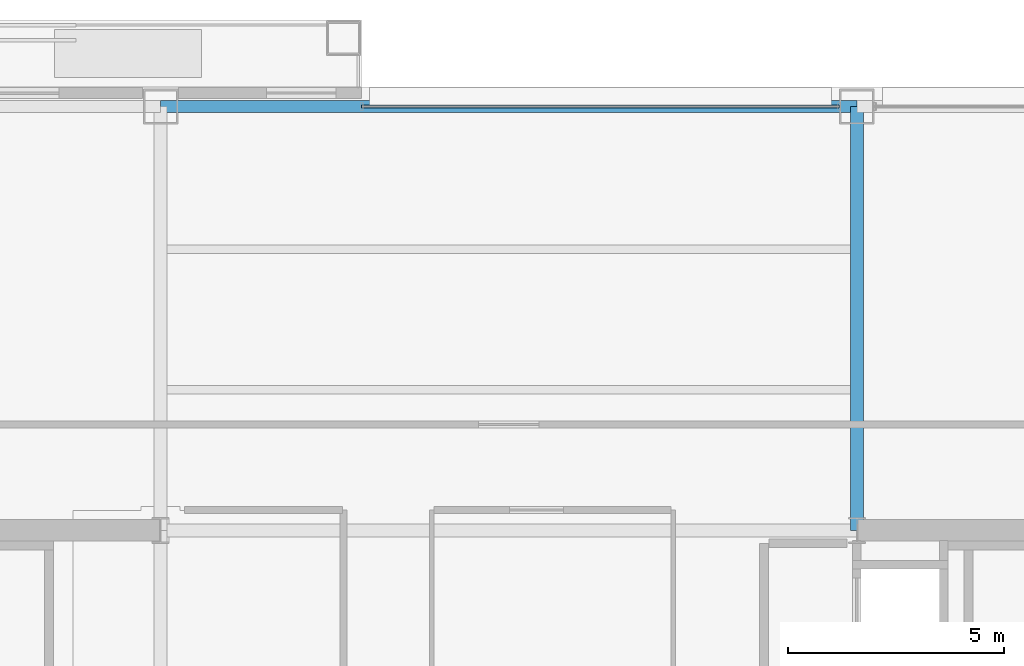
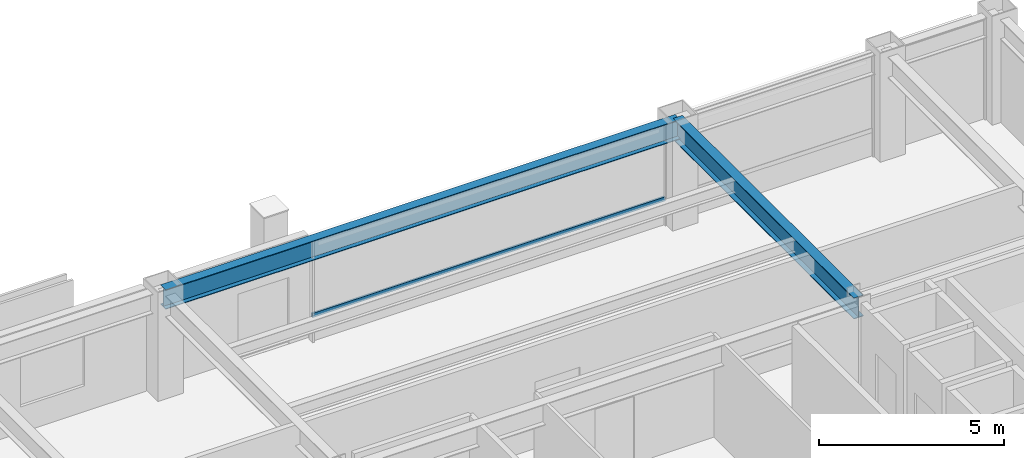
# One storey, part 20 of 29: 2 beams, 1 member, 1 element without a shape of its own.
"""IFC4 building model written with IfcOpenShell, lengths in metres."""

from ifc_helpers import new_model, si_unit, direction, frame, origin, origin_2d, place, context, subcontext, project, spatial, hollow_rectangle, i_section, extrude, material, layer, layer_set, material_profile, profile_set, type_object, element, aggregate, save


model = new_model("IFC4")

# Units and contexts
model_context = context("Model", 3, precision=1e-05, world=origin(), true_north=direction((0.0, 1.0)))
body_context = subcontext(model_context, "Body", "Model", "MODEL_VIEW")
ifc_project = project(units=[si_unit("LENGTHUNIT", "METRE"), si_unit("AREAUNIT", "SQUARE_METRE"), si_unit("VOLUMEUNIT", "CUBIC_METRE"), si_unit("PLANEANGLEUNIT", "RADIAN"), si_unit("MASSUNIT", "GRAM", prefix="KILO")], contexts=[model_context])

# Site, building, storey
site_placement = place(None, origin())
site = spatial("IfcSite", under=ifc_project, at=site_placement, CompositionType="ELEMENT")
building_placement = place(site_placement, origin())
building = spatial("IfcBuilding", under=site, at=building_placement, Name="Brelmoor Portico Tower", CompositionType="ELEMENT")
storey_placement = place(building_placement, frame((0.0, 0.0, 127.800048828125)))
storey = spatial("IfcBuildingStorey", under=building, at=storey_placement, Name="L33", CompositionType="ELEMENT", Elevation=127.800048828125)

# Beams
ifc_material_1 = material(Name="Steel Q355B", Category="steel")
ifc_material_profile_1 = material_profile(ifc_material_1, i_section(OverallWidth=0.300048828125, OverallDepth=0.699951171875, WebThickness=0.012939453125, FlangeThickness=0.02392578125, at=origin_2d()), Name="HN 700x300x13x24")
ifc_profile_set_1 = profile_set([ifc_material_profile_1], Name="Steel Q355B")
beam_type_1 = type_object("IfcBeamType", Name="BM-PG-700", PredefinedType="BEAM", material=ifc_profile_set_1)
beam_1_placement = place(storey_placement, frame((8.050048828125, 9.75, 3.050048828125), z_axis=(0.0, 1.0, 0.0), x_axis=(-1.0, 0.0, 0.0)))
element("IfcBeam", 1, at=beam_1_placement, inside=storey, type_object=beam_type_1, Name="L33 Primary Floor Girder PG-09", PredefinedType="BEAM", context=body_context, shape_type="SweptSolid", body=[
    extrude(i_section(OverallWidth=0.300048828125, OverallDepth=0.699951171875, WebThickness=0.012939453125, FlangeThickness=0.02392578125, at=origin_2d()), origin(), (0.0, 0.0, 1.0), 9.800048828125),
])
ifc_material_profile_2 = material_profile(ifc_material_1, i_section(OverallWidth=0.280029296875, OverallDepth=0.64990234375, WebThickness=0.012939453125, FlangeThickness=0.02197265625, at=origin_2d()), Name="HN 650x280x13x22")
ifc_profile_set_2 = profile_set([ifc_material_profile_2], Name="Steel Q355B")
beam_type_2 = type_object("IfcBeamType", Name="BM-SP-650", PredefinedType="SPANDREL", material=ifc_profile_set_2)
beam_2_placement = place(storey_placement, frame((-8.050048828125, 19.550048828125, 3.074951171875), z_axis=(1.0, 0.0, 0.0), x_axis=(0.0, 1.0, 0.0)))
element("IfcBeam", 2, at=beam_2_placement, inside=storey, type_object=beam_type_2, Name="L33 Perimeter Spandrel Beam SP-12", PredefinedType="SPANDREL", context=body_context, shape_type="SweptSolid", body=[
    extrude(i_section(OverallWidth=0.280029296875, OverallDepth=0.64990234375, WebThickness=0.012939453125, FlangeThickness=0.02197265625, at=origin_2d()), origin(), (0.0, 0.0, 1.0), 16.10009765625),
])

# Curtain wall, member
ifc_material_2 = material(Name="Anodised Aluminium Alloy 6063-T6", Category="aluminium")
ifc_layer = layer(ifc_material_2, 0.179931640625)
ifc_layer_set = layer_set([ifc_layer], Name="Anodised Aluminium Alloy 6063-T6")
curtain_wall_type = type_object("IfcCurtainWallType", Name="CW-TOWER-Z2", PredefinedType="NOTDEFINED", material=ifc_layer_set)
curtain_wall_placement = place(storey_placement, origin())
curtain_wall = element("IfcCurtainWall", 3, at=curtain_wall_placement, inside=storey, type_object=curtain_wall_type, Name="L33 Curtain Wall CW-L33-2R-1", PredefinedType="NOTDEFINED")
ifc_material_profile_3 = material_profile(ifc_material_2, hollow_rectangle(XDim=0.06494140625, YDim=0.139892578125, WallThickness=0.00390625, at=origin_2d()), Name="ALU TRANSOM 65x140")
ifc_profile_set_3 = profile_set([ifc_material_profile_3], Name="Anodised Aluminium Alloy 6063-T6")
member_type = type_object("IfcMemberType", Name="MB-CW-TRAN-140", PredefinedType="USERDEFINED", material=ifc_profile_set_3)
member_placement = place(storey_placement, frame((-3.39990234375, 19.550048828125, 0.849853515625), z_axis=(1.0, 0.0, 0.0), x_axis=(0.0, 1.0, 0.0)))
member = element("IfcMember", 4, at=member_placement, type_object=member_type, Name="CW-L33-2R-1 Transom 1-00", ObjectType="TRANSOM", PredefinedType="USERDEFINED", context=body_context, shape_type="SweptSolid", body=[
    extrude(hollow_rectangle(XDim=0.06494140625, YDim=0.139892578125, WallThickness=0.00390625, at=origin_2d()), origin(), (0.0, 0.0, 1.0), 11.039794921875),
])
aggregate(curtain_wall, [member])

save(model, "model.ifc")
